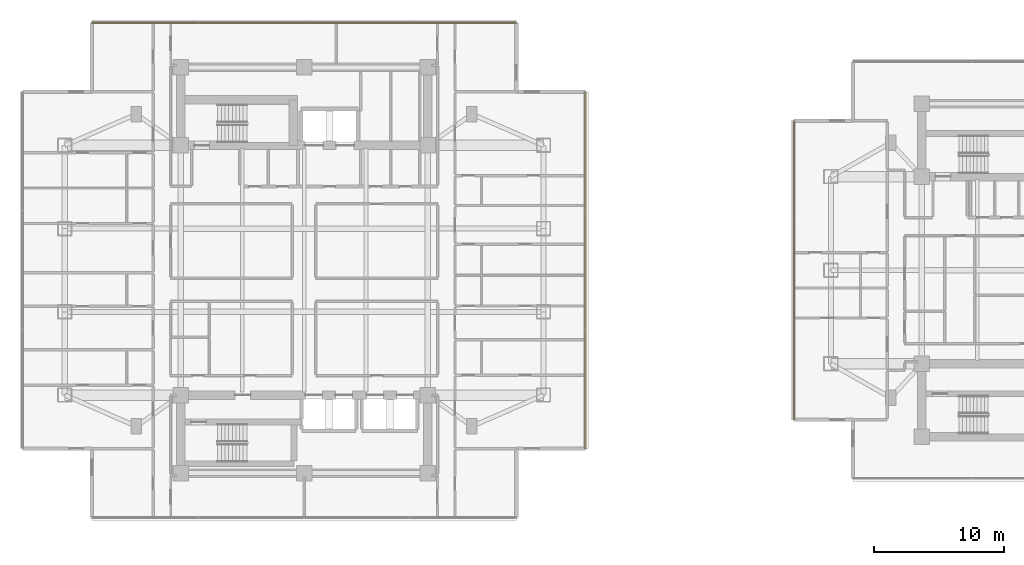
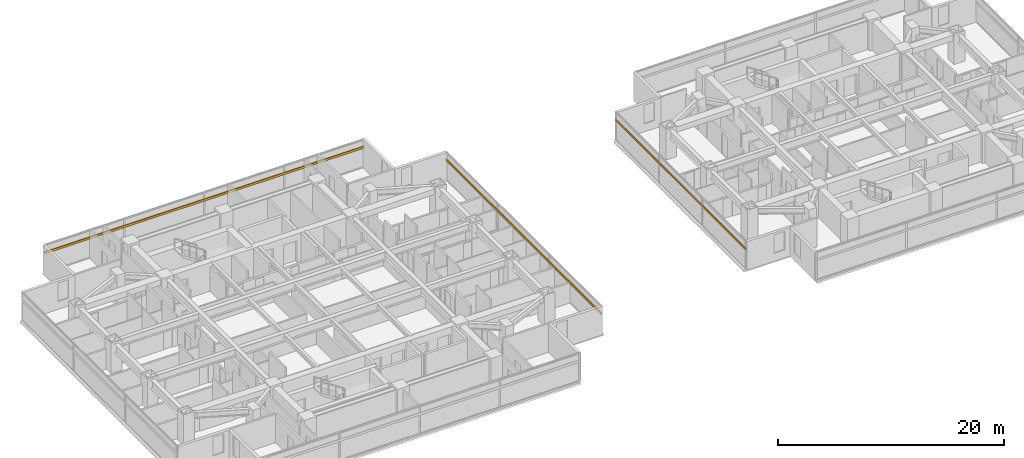
# One storey, part 22 of 25: 3 shading devices.
"""IFC4 building model written with IfcOpenShell, lengths in metres."""

from ifc_helpers import new_model, si_unit, direction, frame, origin, origin_2d, place, context, subcontext, project, spatial, rectangle, extrude, material, material_profile, profile_set, type_object, element, save


model = new_model("IFC4")

# Units and contexts
model_context = context("Model", 3, precision=1e-05, world=origin(), true_north=direction((0.0, 1.0)))
body_context = subcontext(model_context, "Body", "Model", "MODEL_VIEW")
ifc_project = project(units=[si_unit("LENGTHUNIT", "METRE"), si_unit("AREAUNIT", "SQUARE_METRE"), si_unit("VOLUMEUNIT", "CUBIC_METRE"), si_unit("PLANEANGLEUNIT", "RADIAN"), si_unit("MASSUNIT", "GRAM", prefix="KILO")], contexts=[model_context])

# Site, building, storey
site_placement = place(None, origin())
site = spatial("IfcSite", under=ifc_project, at=site_placement, CompositionType="ELEMENT")
building_placement = place(site_placement, origin())
building = spatial("IfcBuilding", under=site, at=building_placement, Name="Mirazonda Arch Towers", CompositionType="ELEMENT")
storey_placement = place(building_placement, frame((0.0, 0.0, 104.89990234375)))
storey = spatial("IfcBuildingStorey", under=building, at=storey_placement, Name="L29", CompositionType="ELEMENT", Elevation=104.89990234375)

# Shading devices
ifc_material = material(Name="Kiln-Fired Architectural Terracotta", Category="masonry")
ifc_material_profile_1 = material_profile(ifc_material, rectangle(XDim=0.1201171875, YDim=0.239990234375, at=origin_2d()), Name="TERRA-BAG-120x240")
ifc_profile_set_1 = profile_set([ifc_material_profile_1], Name="Kiln-Fired Architectural Terracotta")
shading_device_type_1 = type_object("IfcShadingDeviceType", Name="BAGUETTE-1", PredefinedType="USERDEFINED", material=ifc_profile_set_1)
shading_device_1_placement = place(storey_placement, frame((42.1298828125, 14.284912109375, 2.203369140625), z_axis=(0.0, 1.0, 0.0), x_axis=(-1.0, 0.0, 0.0)))
element("IfcShadingDevice", 1, at=shading_device_1_placement, inside=storey, type_object=shading_device_type_1, Name="L29 Glazed Terracotta Sun-Screen Baguette CW-L29-T1-E", ObjectType="BAGUETTE", PredefinedType="USERDEFINED", context=body_context, shape_type="SweptSolid", body=[
    extrude(rectangle(XDim=0.1201171875, YDim=0.239990234375, at=origin_2d()), origin(), (0.0, 0.0, 1.0), 27.43017578125),
])
shading_device_2_placement = place(storey_placement, frame((4.175048828125, 47.02001953125, 2.203369140625), z_axis=(1.0, 0.0, 0.0), x_axis=(0.0, 1.0, 0.0)))
element("IfcShadingDevice", 2, at=shading_device_2_placement, inside=storey, type_object=shading_device_type_1, Name="L29 Glazed Terracotta Sun-Screen Baguette CW-L29-T1-N", ObjectType="BAGUETTE", PredefinedType="USERDEFINED", context=body_context, shape_type="SweptSolid", body=[
    extrude(rectangle(XDim=0.1201171875, YDim=0.239990234375, at=origin_2d()), origin(), (0.0, 0.0, 1.0), 32.64990234375),
])
ifc_material_profile_2 = material_profile(ifc_material, rectangle(XDim=0.10009765625, YDim=0.199951171875, at=origin_2d()), Name="TERRA-BAG-100x200")
ifc_profile_set_2 = profile_set([ifc_material_profile_2], Name="Kiln-Fired Architectural Terracotta")
shading_device_type_2 = type_object("IfcShadingDeviceType", Name="BAGUETTE-2", PredefinedType="USERDEFINED", material=ifc_profile_set_2)
shading_device_3_placement = place(storey_placement, frame((58.16748046875, 39.497802734375, 2.203369140625), z_axis=(0.0, -1.0, 0.0), x_axis=(1.0, 0.0, 0.0)))
element("IfcShadingDevice", 3, at=shading_device_3_placement, inside=storey, type_object=shading_device_type_2, Name="L29 Glazed Terracotta Sun-Screen Baguette CW-L29-T2-W", ObjectType="BAGUETTE", PredefinedType="USERDEFINED", context=body_context, shape_type="SweptSolid", body=[
    extrude(rectangle(XDim=0.10009765625, YDim=0.199951171875, at=origin_2d()), origin(), (0.0, 0.0, 1.0), 22.99560546875),
])

save(model, "model.ifc")
